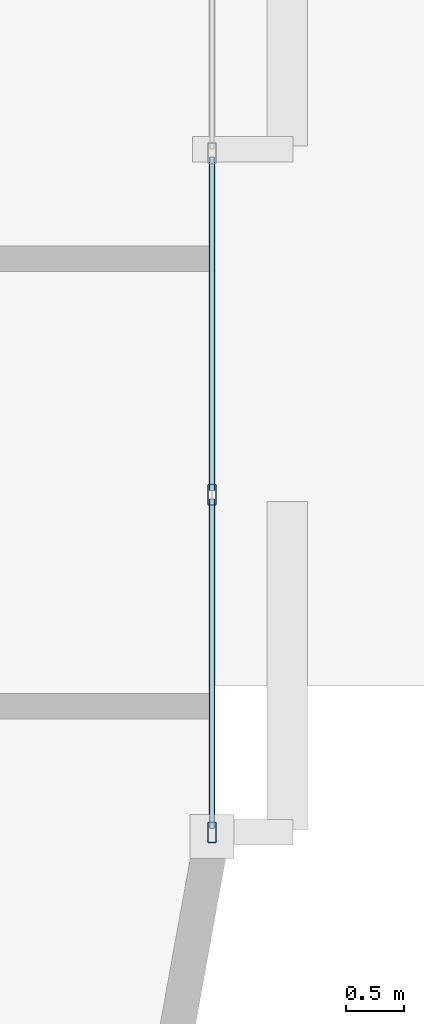
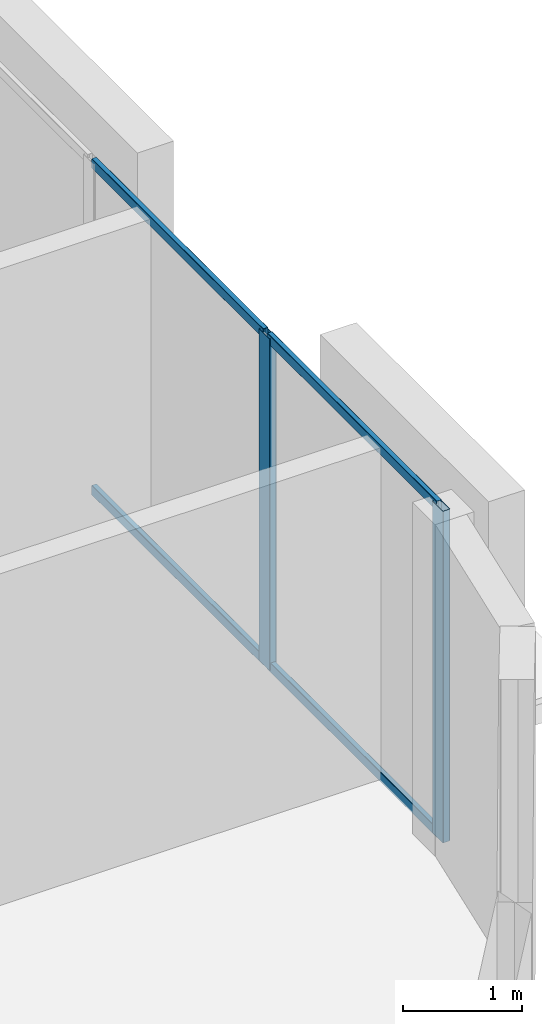
# One storey, part 4 of 13: 6 members, 1 element without a shape of its own.
"""IFC4 building model written with IfcOpenShell, lengths in metres."""

from ifc_helpers import new_model, si_unit, direction, frame, origin, origin_2d, place, context, subcontext, project, spatial, hollow_rectangle, extrude, material, layer, layer_set, material_profile, profile_set, type_object, element, aggregate, save


model = new_model("IFC4")

# Units and contexts
model_context = context("Model", 3, precision=1e-05, world=origin(), true_north=direction((0.0, 1.0)))
body_context = subcontext(model_context, "Body", "Model", "MODEL_VIEW")
ifc_project = project(units=[si_unit("LENGTHUNIT", "METRE"), si_unit("AREAUNIT", "SQUARE_METRE"), si_unit("VOLUMEUNIT", "CUBIC_METRE"), si_unit("PLANEANGLEUNIT", "RADIAN"), si_unit("MASSUNIT", "GRAM", prefix="KILO")], contexts=[model_context])

# Site, building, storey
site_placement = place(None, origin())
site = spatial("IfcSite", under=ifc_project, at=site_placement, CompositionType="ELEMENT")
building_placement = place(site_placement, origin())
building = spatial("IfcBuilding", under=site, at=building_placement, Name="An Khanh Terracotta Commons", CompositionType="ELEMENT")
storey_placement = place(building_placement, frame((0.0, 0.0, 222.89990234375)))
storey = spatial("IfcBuildingStorey", under=building, at=storey_placement, Name="L58", CompositionType="ELEMENT", Elevation=222.89990234375)

# Curtain wall, members
ifc_material = material(Name="Anodised Aluminium 6063-T6", Category="aluminium")
ifc_layer = layer(ifc_material, 0.2099609375, Name="Anodised Aluminium 6063-T6")
ifc_layer_set = layer_set([ifc_layer], Name="Anodised Aluminium 6063-T6")
curtain_wall_type = type_object("IfcCurtainWallType", Name="CW-SYS-03", PredefinedType="USERDEFINED", material=ifc_layer_set)
curtain_wall_placement = place(storey_placement, origin())
curtain_wall = element("IfcCurtainWall", 1, at=curtain_wall_placement, inside=storey, type_object=curtain_wall_type, Name="L58 CW-03 Unitised Curtain Wall CW-L58-12", ObjectType="UNITISED CURTAIN WALL", PredefinedType="USERDEFINED")
ifc_material_profile_1 = material_profile(ifc_material, hollow_rectangle(XDim=0.070068359375, YDim=0.179931640625, WallThickness=0.00390625, InnerFilletRadius=0.00390625, OuterFilletRadius=0.008056640625, at=origin_2d()), Name="RHS180x70x4")
ifc_profile_set_1 = profile_set([ifc_material_profile_1], Name="Anodised Aluminium 6063-T6")
member_type_1 = type_object("IfcMemberType", Name="CWM-RHS180x70x4", PredefinedType="MULLION", material=ifc_profile_set_1)
member_1_placement = place(storey_placement, frame((68.60009765625, 18.135986328125, 0.0), z_axis=(0.0, 0.0, 1.0), x_axis=(-1.0, 0.0, 0.0)))
member_1 = element("IfcMember", 2, at=member_1_placement, type_object=member_type_1, Name="CW-03 mullion 1", PredefinedType="MULLION", context=body_context, shape_type="SweptSolid", body=[
    extrude(hollow_rectangle(XDim=0.070068359375, YDim=0.179931640625, WallThickness=0.00390625, InnerFilletRadius=0.00390625, OuterFilletRadius=0.008056640625, at=origin_2d()), origin(), (0.0, 0.0, 1.0), 3.400146484375),
])
member_2_placement = place(storey_placement, frame((68.60009765625, 21.050537109375, 0.0), z_axis=(0.0, 0.0, 1.0), x_axis=(-1.0, 0.0, 0.0)))
member_2 = element("IfcMember", 3, at=member_2_placement, type_object=member_type_1, Name="CW-03 mullion 2", PredefinedType="MULLION", context=body_context, shape_type="SweptSolid", body=[
    extrude(hollow_rectangle(XDim=0.070068359375, YDim=0.179931640625, WallThickness=0.00390625, InnerFilletRadius=0.00390625, OuterFilletRadius=0.008056640625, at=origin_2d()), origin(), (0.0, 0.0, 1.0), 3.400146484375),
])
ifc_material_profile_2 = material_profile(ifc_material, hollow_rectangle(XDim=0.050048828125, YDim=0.10009765625, WallThickness=0.003173828125, InnerFilletRadius=0.003173828125, OuterFilletRadius=0.00634765625, at=origin_2d()), Name="RHS100x50x3.2")
ifc_profile_set_2 = profile_set([ifc_material_profile_2], Name="Anodised Aluminium 6063-T6")
member_type_2 = type_object("IfcMemberType", Name="CWT-RHS100x50x3.2", PredefinedType="USERDEFINED", material=ifc_profile_set_2)
member_3_placement = place(storey_placement, frame((68.60009765625, 18.1708984375, 0.025146484375), z_axis=(0.0, 1.0, 0.0), x_axis=(-1.0, 0.0, 0.0)))
member_3 = element("IfcMember", 4, at=member_3_placement, type_object=member_type_2, Name="CW-03 transom 1.1", ObjectType="TRANSOM", PredefinedType="USERDEFINED", context=body_context, shape_type="SweptSolid", body=[
    extrude(hollow_rectangle(XDim=0.050048828125, YDim=0.10009765625, WallThickness=0.003173828125, InnerFilletRadius=0.003173828125, OuterFilletRadius=0.00634765625, at=origin_2d()), origin(), (0.0, 0.0, 1.0), 2.844482421875),
])
member_4_placement = place(storey_placement, frame((68.60009765625, 18.1708984375, 3.375), z_axis=(0.0, 1.0, 0.0), x_axis=(-1.0, 0.0, 0.0)))
member_4 = element("IfcMember", 5, at=member_4_placement, type_object=member_type_2, Name="CW-03 transom 1.2", ObjectType="TRANSOM", PredefinedType="USERDEFINED", context=body_context, shape_type="SweptSolid", body=[
    extrude(hollow_rectangle(XDim=0.050048828125, YDim=0.10009765625, WallThickness=0.003173828125, InnerFilletRadius=0.003173828125, OuterFilletRadius=0.00634765625, at=origin_2d()), origin(), (0.0, 0.0, 1.0), 2.844482421875),
])
member_5_placement = place(storey_placement, frame((68.60009765625, 21.08544921875, 0.025146484375), z_axis=(0.0, 1.0, 0.0), x_axis=(-1.0, 0.0, 0.0)))
member_5 = element("IfcMember", 6, at=member_5_placement, type_object=member_type_2, Name="CW-03 transom 2.1", ObjectType="TRANSOM", PredefinedType="USERDEFINED", context=body_context, shape_type="SweptSolid", body=[
    extrude(hollow_rectangle(XDim=0.050048828125, YDim=0.10009765625, WallThickness=0.003173828125, InnerFilletRadius=0.003173828125, OuterFilletRadius=0.00634765625, at=origin_2d()), origin(), (0.0, 0.0, 1.0), 2.879638671875),
])
member_6_placement = place(storey_placement, frame((68.60009765625, 21.08544921875, 3.375), z_axis=(0.0, 1.0, 0.0), x_axis=(-1.0, 0.0, 0.0)))
member_6 = element("IfcMember", 7, at=member_6_placement, type_object=member_type_2, Name="CW-03 transom 2.2", ObjectType="TRANSOM", PredefinedType="USERDEFINED", context=body_context, shape_type="SweptSolid", body=[
    extrude(hollow_rectangle(XDim=0.050048828125, YDim=0.10009765625, WallThickness=0.003173828125, InnerFilletRadius=0.003173828125, OuterFilletRadius=0.00634765625, at=origin_2d()), origin(), (0.0, 0.0, 1.0), 2.879638671875),
])
aggregate(curtain_wall, [member_1, member_2, member_3, member_4, member_5, member_6])

save(model, "model.ifc")
